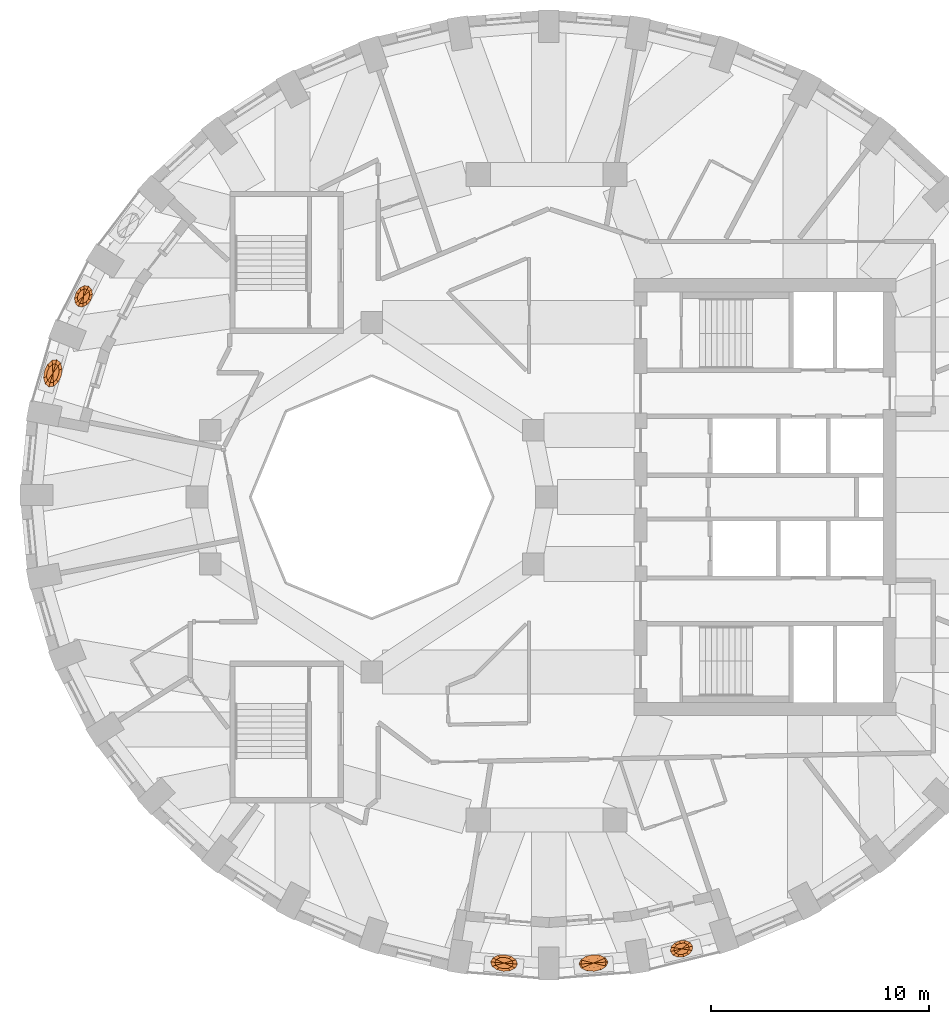
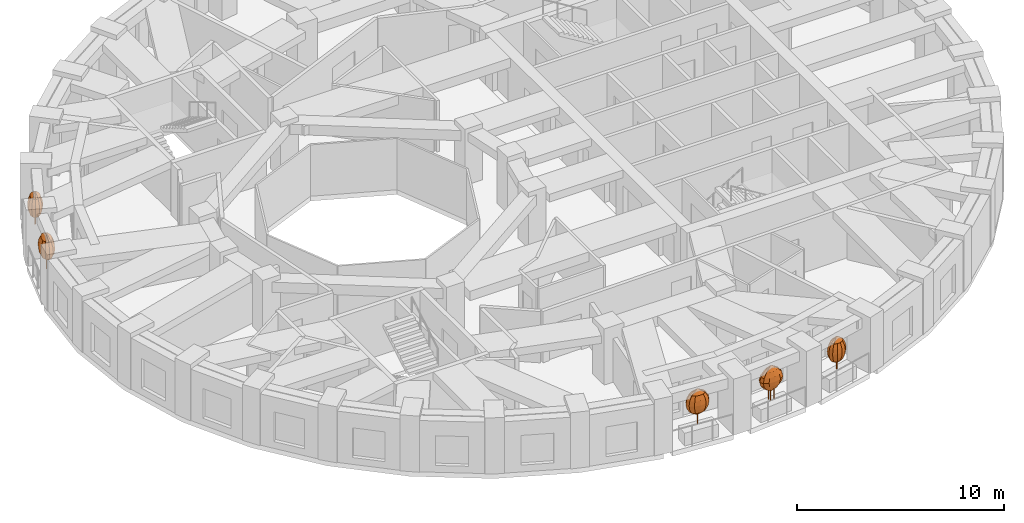
# One storey, part 10 of 11: 5 geographic elements.
"""IFC4 building model written with IfcOpenShell, lengths in metres."""

import ifcopenshell
import ifcopenshell.guid

model = None  # the IFC model being written
_history = None  # IfcOwnerHistory: only IFC2X3 demands one
_inside = {}  # id of a spatial element -> (the spatial element, [elements in it])
_under = {}  # id of a project, library or spatial element -> (it, [spatial elements below it])
_declared = {}  # id of a project -> (the project, [libraries it declares])
_typed = {}  # id of a type object -> (the type object, [elements of that type])
_made_of = {}  # id of a material, layer set ... -> (it, [elements and type objects made of it])


def new_model(schema):
    """Start an empty IFC model of exactly this schema.

    Asked for "IFC4X3", IfcOpenShell would pick the latest addendum, in which some entities
    have other attributes; the version numbers below select the first issue.
    IFC2X3 requires an IfcOwnerHistory on every rooted entity: one is made here for all.
    """
    global model, _history
    if schema == "IFC4X3":
        model = ifcopenshell.file(schema_version=(4, 3, 0, 0))
    else:
        model = ifcopenshell.file(schema=schema)
    _inside.clear()
    _under.clear()
    _declared.clear()
    _typed.clear()
    _made_of.clear()
    _history = None
    if model.schema == "IFC2X3":
        org = make("IfcOrganization", Name="unknown")
        user = make(
            "IfcPersonAndOrganization",
            ThePerson=make("IfcPerson", FamilyName="unknown"),
            TheOrganization=org,
        )
        app = make(
            "IfcApplication",
            ApplicationDeveloper=org,
            Version="unknown",
            ApplicationFullName="unknown",
            ApplicationIdentifier="unknown",
        )
        _history = make(
            "IfcOwnerHistory",
            OwningUser=user,
            OwningApplication=app,
            ChangeAction="ADDED",
            CreationDate=0,
        )
    return model


def make(cls, **values):
    """One entity of the class cls with the attributes given. An attribute that is None is left unset."""
    return model.create_entity(
        cls, **{name: value for name, value in values.items() if value is not None}
    )


def rooted(cls, **values):
    """An entity with a GlobalId (a new one), such as an element, a storey or a relation."""
    return make(cls, GlobalId=ifcopenshell.guid.new(), OwnerHistory=_history, **values)


def si_unit(unit_type, name, prefix=None):
    """IfcSIUnit, for example si_unit("LENGTHUNIT", "METRE", prefix="MILLI")."""
    return make("IfcSIUnit", UnitType=unit_type, Prefix=prefix, Name=name)


def assignment(units):
    """IfcUnitAssignment: the units of a project."""
    return None if units is None else make("IfcUnitAssignment", Units=units)


def point(xyz):
    """IfcCartesianPoint."""
    return None if xyz is None else make("IfcCartesianPoint", Coordinates=xyz)


def direction(xyz):
    """IfcDirection."""
    return None if xyz is None else make("IfcDirection", DirectionRatios=xyz)


def frame(location, z_axis=None, x_axis=None):
    """IfcAxis2Placement3D, a coordinate frame: its origin and axes. An axis left out is left unset."""
    return make(
        "IfcAxis2Placement3D",
        Location=point(location),
        Axis=direction(z_axis),
        RefDirection=direction(x_axis),
    )


def origin():
    """The frame at (0, 0, 0) with its axes left unset."""
    return frame((0.0, 0.0, 0.0))


def place(relative_to, where):
    """IfcLocalPlacement: puts the frame where relative to a parent placement (None: the world)."""
    return make(
        "IfcLocalPlacement", PlacementRelTo=relative_to, RelativePlacement=where
    )


def context(
    kind, dimensions, precision=None, world=None, true_north=None, identifier=None
):
    """IfcGeometricRepresentationContext, for example the 3D "Model" context."""
    return make(
        "IfcGeometricRepresentationContext",
        ContextIdentifier=identifier,
        ContextType=kind,
        CoordinateSpaceDimension=dimensions,
        Precision=precision,
        WorldCoordinateSystem=world,
        TrueNorth=true_north,
    )


def subcontext(parent, identifier, kind, view, scale=None):
    """IfcGeometricRepresentationSubContext, for example "Body" below "Model"."""
    return make(
        "IfcGeometricRepresentationSubContext",
        ContextIdentifier=identifier,
        ContextType=kind,
        ParentContext=parent,
        TargetScale=scale,
        TargetView=view,
    )


def project(units=None, contexts=None):
    """IfcProject with its units and contexts."""
    return rooted(
        "IfcProject",
        Name="project",
        RepresentationContexts=contexts,
        UnitsInContext=assignment(units),
    )


def spatial(cls, under=None, at=None, **own):
    """A site, building, storey or space (cls), placed at a placement, below another one or the project."""
    s = rooted(cls, ObjectPlacement=at, **own)
    if under is not None:
        _under.setdefault(under.id(), (under, []))[1].append(s)
    return s


def faces_of(points, faces, orient=None, outer=None):
    """IfcFace entities. A face is a list of loops; a loop is a list of indices into points, from 0.

    orient and outer hold one flag for each loop. By default every Orientation is true, the
    first loop of a face is its IfcFaceOuterBound and the others are IfcFaceBound.
    """
    made = []
    for i, loops in enumerate(faces):
        bounds = []
        for j, loop in enumerate(loops):
            is_outer = j == 0 if outer is None else outer[i][j]
            bounds.append(
                make(
                    "IfcFaceOuterBound" if is_outer else "IfcFaceBound",
                    Bound=make("IfcPolyLoop", Polygon=[points[k] for k in loop]),
                    Orientation=True if orient is None else orient[i][j],
                )
            )
        made.append(make("IfcFace", Bounds=bounds))
    return made


def faceted_brep(points, faces, orient=None, outer=None, voids=None):
    """IfcFacetedBrep: a solid bounded by flat faces; with voids (closed shells), ...WithVoids."""
    shared = [point(p) for p in points]
    hull = make("IfcClosedShell", CfsFaces=faces_of(shared, faces, orient, outer))
    if voids is None:
        return make("IfcFacetedBrep", Outer=hull)
    return make(
        "IfcFacetedBrepWithVoids",
        Outer=hull,
        Voids=[
            make(cls, CfsFaces=faces_of(shared, fs, o, b)) for cls, fs, o, b in voids
        ],
    )


def shape(context_of_items, identifier, shape_type, items):
    """IfcShapeRepresentation: the items that make up one representation, for example the "Body"."""
    return make(
        "IfcShapeRepresentation",
        ContextOfItems=context_of_items,
        RepresentationIdentifier=identifier,
        RepresentationType=shape_type,
        Items=items,
    )


def material(Name=None, Category=None):
    """IfcMaterial."""
    return make("IfcMaterial", Name=Name, Category=Category)


def constituent(of_material, Name=None, Category=None, fraction=None):
    """IfcMaterialConstituent: one of the materials an element consists of."""
    return make(
        "IfcMaterialConstituent",
        Name=Name,
        Material=of_material,
        Fraction=fraction,
        Category=Category,
    )


def constituent_set(constituents=None, Name=None):
    """IfcMaterialConstituentSet."""
    return make(
        "IfcMaterialConstituentSet", Name=Name, MaterialConstituents=constituents
    )


def made_of(thing, what):
    """Note that an element or type object is made of a material, layer set ...; save() writes the relation."""
    if what is not None:
        _made_of.setdefault(what.id(), (what, []))[1].append(thing)
    return thing


def type_object(cls, material=None, **own):
    """A type object (cls), such as IfcWallType, which elements share."""
    return made_of(rooted(cls, **own), material)


def element(
    cls,
    number,
    at=None,
    inside=None,
    cuts=None,
    type_object=None,
    material=None,
    context=None,
    identifier="Body",
    shape_type=None,
    held_by="IfcProductDefinitionShape",
    body=None,
    shapes=None,
    **own,
):
    """One element of the class cls, such as IfcWall. Its Tag is "e" and its number.

    at: its placement. inside: the storey or other place that contains it. cuts: it is an
    opening in that element (IfcRelVoidsElement). A single representation is given by context,
    identifier, shape_type and body (its items); several are given by shapes. held_by: the class
    of the entity that holds the representations. save() writes the other relations.
    """
    e = rooted(cls, Tag="e%d" % number, ObjectPlacement=at, **own)
    if body is not None:
        shapes = [shape(context, identifier, shape_type, body)]
    if shapes is not None:
        e.Representation = make(held_by, Representations=shapes)
    if inside is not None:
        _inside.setdefault(inside.id(), (inside, []))[1].append(e)
    if cuts is not None:
        rooted(
            "IfcRelVoidsElement", RelatingBuildingElement=cuts, RelatedOpeningElement=e
        )
    if type_object is not None:
        _typed.setdefault(type_object.id(), (type_object, []))[1].append(e)
    return made_of(e, material)


def aggregate(whole, parts):
    """IfcRelAggregates: a whole, such as a stair, and the parts it consists of."""
    return rooted("IfcRelAggregates", RelatingObject=whole, RelatedObjects=parts)


def save(model, path):
    """Write the relations noted so far, then the file.

    IfcRelAggregates (storeys below a building ...), IfcRelContainedInSpatialStructure (elements
    in a storey), IfcRelDefinesByType, IfcRelAssociatesMaterial and IfcRelDeclares: one each for
    every whole, place, type object, material and project.
    """
    for whole, parts in _under.values():
        aggregate(whole, parts)
    for where, things in _inside.values():
        rooted(
            "IfcRelContainedInSpatialStructure",
            RelatedElements=things,
            RelatingStructure=where,
        )
    for kind, things in _typed.values():
        rooted("IfcRelDefinesByType", RelatedObjects=things, RelatingType=kind)
    for what, things in _made_of.values():
        rooted("IfcRelAssociatesMaterial", RelatedObjects=things, RelatingMaterial=what)
    for by, libraries in _declared.values():
        rooted("IfcRelDeclares", RelatingContext=by, RelatedDefinitions=libraries)
    model.write(path)


model = new_model("IFC4")

# Units and contexts
model_context = context("Model", 3, precision=1e-05, world=origin(), true_north=direction((0.0, 1.0)))
body_context = subcontext(model_context, "Body", "Model", "MODEL_VIEW")
ifc_project = project(units=[si_unit("LENGTHUNIT", "METRE"), si_unit("AREAUNIT", "SQUARE_METRE"), si_unit("VOLUMEUNIT", "CUBIC_METRE"), si_unit("PLANEANGLEUNIT", "RADIAN"), si_unit("MASSUNIT", "GRAM", prefix="KILO")], contexts=[model_context])

# Site, building, storey
site_placement = place(None, origin())
site = spatial("IfcSite", under=ifc_project, at=site_placement, CompositionType="ELEMENT")
building_placement = place(site_placement, origin())
building = spatial("IfcBuilding", under=site, at=building_placement, Name="Taillehof Tower", CompositionType="ELEMENT")
storey_placement = place(building_placement, frame((0.0, 0.0, 161.60009765625)))
storey = spatial("IfcBuildingStorey", under=building, at=storey_placement, Name="L45", CompositionType="ELEMENT", Elevation=161.60009765625)

# Geographic elements
ifc_material_1 = material(Name="Tree bark", Category="timber")
ifc_constituent_1 = constituent(ifc_material_1, Name="Trunk", Category="timber")
ifc_material_2 = material(Name="Tree foliage")
ifc_constituent_2 = constituent(ifc_material_2, Name="Crown")
ifc_constituent_set_1 = constituent_set(constituents=[ifc_constituent_1, ifc_constituent_2], Name="Tree TR1 Columnar hornbeam")
geographic_element_type_1 = type_object("IfcGeographicElementType", Name="Tree TR1 Columnar hornbeam", PredefinedType="USERDEFINED", material=ifc_constituent_set_1)
geographic_element_1_placement = place(storey_placement, frame((-1.947265625, -21.32421875, 0.75)))
element("IfcGeographicElement", 1, at=geographic_element_1_placement, inside=storey, type_object=geographic_element_type_1, Name="Tree TR1 Columnar hornbeam", ObjectType="TREE", PredefinedType="USERDEFINED", context=body_context, shape_type="Brep", body=[
    faceted_brep([(0.030029296875, 0.0, 0.0), (0.021240234375, 0.021240234375, 0.0), (0.021240234375, 0.021240234375, 1.092529296875), (0.030029296875, 0.0, 1.092529296875), (0.0, 0.030029296875, 0.0), (0.0, 0.030029296875, 1.092529296875), (-0.021240234375, 0.021240234375, 0.0), (-0.021240234375, 0.021240234375, 1.092529296875), (-0.030029296875, 0.0, 0.0), (-0.030029296875, 0.0, 1.092529296875), (-0.021240234375, -0.021240234375, 0.0), (-0.021240234375, -0.021240234375, 1.092529296875), (0.0, -0.030029296875, 0.0), (0.0, -0.030029296875, 1.092529296875), (0.021240234375, -0.021240234375, 0.0), (0.021240234375, -0.021240234375, 1.092529296875)], [[[0, 1, 2, 3]], [[1, 4, 5, 2]], [[4, 6, 7, 5]], [[6, 8, 9, 7]], [[8, 10, 11, 9]], [[10, 12, 13, 11]], [[12, 14, 15, 13]], [[14, 0, 3, 15]], [[14, 12, 10, 8, 6, 4, 1, 0]], [[3, 2, 5, 7, 9, 11, 13, 15]]]),
    faceted_brep([(0.0, 0.0, 0.550048828125), (0.37451171875, 0.10009765625, 0.808349609375), (0.42041015625, -0.03369140625, 0.808349609375), (0.22802734375, 0.207275390625, 0.808349609375), (0.020751953125, 0.2587890625, 0.808349609375), (-0.1923828125, 0.240966796875, 0.808349609375), (-0.353759765625, 0.158447265625, 0.808349609375), (-0.42041015625, 0.03369140625, 0.808349609375), (-0.37451171875, -0.10009765625, 0.808349609375), (-0.22802734375, -0.207275390625, 0.808349609375), (-0.020751953125, -0.2587890625, 0.808349609375), (0.1923828125, -0.240966796875, 0.808349609375), (0.353759765625, -0.158447265625, 0.808349609375), (0.506591796875, 0.135498046875, 1.066650390625), (0.568603515625, -0.04541015625, 1.066650390625), (0.30859375, 0.2802734375, 1.066650390625), (0.028076171875, 0.35009765625, 1.066650390625), (-0.260009765625, 0.325927734375, 1.066650390625), (-0.478515625, 0.21435546875, 1.066650390625), (-0.568603515625, 0.04541015625, 1.066650390625), (-0.506591796875, -0.135498046875, 1.066650390625), (-0.30859375, -0.2802734375, 1.066650390625), (-0.028076171875, -0.35009765625, 1.066650390625), (0.260009765625, -0.325927734375, 1.066650390625), (0.478515625, -0.21435546875, 1.066650390625), (0.54833984375, 0.146728515625, 1.324951171875), (0.615478515625, -0.04931640625, 1.324951171875), (0.333984375, 0.303466796875, 1.324951171875), (0.0302734375, 0.37890625, 1.324951171875), (-0.281494140625, 0.352783203125, 1.324951171875), (-0.517822265625, 0.232177734375, 1.324951171875), (-0.615478515625, 0.04931640625, 1.324951171875), (-0.54833984375, -0.146728515625, 1.324951171875), (-0.333984375, -0.303466796875, 1.324951171875), (-0.0302734375, -0.37890625, 1.324951171875), (0.281494140625, -0.352783203125, 1.324951171875), (0.517822265625, -0.232177734375, 1.324951171875), (0.506591796875, 0.135498046875, 1.583251953125), (0.568603515625, -0.04541015625, 1.583251953125), (0.30859375, 0.2802734375, 1.583251953125), (0.028076171875, 0.35009765625, 1.583251953125), (-0.260009765625, 0.325927734375, 1.583251953125), (-0.478515625, 0.21435546875, 1.583251953125), (-0.568603515625, 0.04541015625, 1.583251953125), (-0.506591796875, -0.135498046875, 1.583251953125), (-0.30859375, -0.2802734375, 1.583251953125), (-0.028076171875, -0.35009765625, 1.583251953125), (0.260009765625, -0.325927734375, 1.583251953125), (0.478515625, -0.21435546875, 1.583251953125), (0.37451171875, 0.10009765625, 1.841552734375), (0.42041015625, -0.03369140625, 1.841552734375), (0.22802734375, 0.207275390625, 1.841552734375), (0.020751953125, 0.2587890625, 1.841552734375), (-0.1923828125, 0.240966796875, 1.841552734375), (-0.353759765625, 0.158447265625, 1.841552734375), (-0.42041015625, 0.03369140625, 1.841552734375), (-0.37451171875, -0.10009765625, 1.841552734375), (-0.22802734375, -0.207275390625, 1.841552734375), (-0.020751953125, -0.2587890625, 1.841552734375), (0.1923828125, -0.240966796875, 1.841552734375), (0.353759765625, -0.158447265625, 1.841552734375), (0.0, 0.0, 2.10009765625)], [[[0, 1, 2]], [[0, 3, 1]], [[0, 4, 3]], [[0, 5, 4]], [[0, 6, 5]], [[0, 7, 6]], [[0, 8, 7]], [[0, 9, 8]], [[0, 10, 9]], [[0, 11, 10]], [[0, 12, 11]], [[0, 2, 12]], [[2, 1, 13, 14]], [[1, 3, 15, 13]], [[3, 4, 16, 15]], [[4, 5, 17, 16]], [[5, 6, 18, 17]], [[6, 7, 19, 18]], [[7, 8, 20, 19]], [[8, 9, 21, 20]], [[9, 10, 22, 21]], [[10, 11, 23, 22]], [[11, 12, 24, 23]], [[12, 2, 14, 24]], [[14, 13, 25, 26]], [[13, 15, 27, 25]], [[15, 16, 28, 27]], [[16, 17, 29, 28]], [[17, 18, 30, 29]], [[18, 19, 31, 30]], [[19, 20, 32, 31]], [[20, 21, 33, 32]], [[21, 22, 34, 33]], [[22, 23, 35, 34]], [[23, 24, 36, 35]], [[24, 14, 26, 36]], [[26, 25, 37, 38]], [[25, 27, 39, 37]], [[27, 28, 40, 39]], [[28, 29, 41, 40]], [[29, 30, 42, 41]], [[30, 31, 43, 42]], [[31, 32, 44, 43]], [[32, 33, 45, 44]], [[33, 34, 46, 45]], [[34, 35, 47, 46]], [[35, 36, 48, 47]], [[36, 26, 38, 48]], [[38, 37, 49, 50]], [[37, 39, 51, 49]], [[39, 40, 52, 51]], [[40, 41, 53, 52]], [[41, 42, 54, 53]], [[42, 43, 55, 54]], [[43, 44, 56, 55]], [[44, 45, 57, 56]], [[45, 46, 58, 57]], [[46, 47, 59, 58]], [[47, 48, 60, 59]], [[48, 38, 50, 60]], [[50, 49, 61]], [[49, 51, 61]], [[51, 52, 61]], [[52, 53, 61]], [[53, 54, 61]], [[54, 55, 61]], [[55, 56, 61]], [[56, 57, 61]], [[57, 58, 61]], [[58, 59, 61]], [[59, 60, 61]], [[60, 50, 61]]]),
])
geographic_element_2_placement = place(storey_placement, frame((-22.59619140625, 5.668212890625, 0.75)))
element("IfcGeographicElement", 2, at=geographic_element_2_placement, inside=storey, type_object=geographic_element_type_1, Name="Tree TR1 Columnar hornbeam", ObjectType="TREE", PredefinedType="USERDEFINED", context=body_context, shape_type="Brep", body=[
    faceted_brep([(0.030029296875, 0.0, 0.0), (0.021240234375, 0.021240234375, 0.0), (0.021240234375, 0.021240234375, 1.092529296875), (0.030029296875, 0.0, 1.092529296875), (0.0, 0.030029296875, 0.0), (0.0, 0.030029296875, 1.092529296875), (-0.021240234375, 0.021240234375, 0.0), (-0.021240234375, 0.021240234375, 1.092529296875), (-0.030029296875, 0.0, 0.0), (-0.030029296875, 0.0, 1.092529296875), (-0.021240234375, -0.021240234375, 0.0), (-0.021240234375, -0.021240234375, 1.092529296875), (0.0, -0.030029296875, 0.0), (0.0, -0.030029296875, 1.092529296875), (0.021240234375, -0.021240234375, 0.0), (0.021240234375, -0.021240234375, 1.092529296875)], [[[0, 1, 2, 3]], [[1, 4, 5, 2]], [[4, 6, 7, 5]], [[6, 8, 9, 7]], [[8, 10, 11, 9]], [[10, 12, 13, 11]], [[12, 14, 15, 13]], [[14, 0, 3, 15]], [[14, 12, 10, 8, 6, 4, 1, 0]], [[3, 2, 5, 7, 9, 11, 13, 15]]]),
    faceted_brep([(0.0, 0.0, 0.550048828125), (0.02294921875, -0.407470703125, 0.808349609375), (-0.124755859375, -0.426025390625, 0.808349609375), (0.16455078125, -0.279541015625, 0.808349609375), (0.26220703125, -0.076904296875, 0.808349609375), (0.28955078125, 0.146484375, 0.808349609375), (0.2392578125, 0.33056640625, 0.808349609375), (0.124755859375, 0.426025390625, 0.808349609375), (-0.02294921875, 0.407470703125, 0.808349609375), (-0.16455078125, 0.279541015625, 0.808349609375), (-0.26220703125, 0.076904296875, 0.808349609375), (-0.28955078125, -0.146484375, 0.808349609375), (-0.2392578125, -0.33056640625, 0.808349609375), (0.03125, -0.551025390625, 1.066650390625), (-0.168701171875, -0.576416015625, 1.066650390625), (0.22265625, -0.378173828125, 1.066650390625), (0.354736328125, -0.10400390625, 1.066650390625), (0.3916015625, 0.1982421875, 1.066650390625), (0.323486328125, 0.447265625, 1.066650390625), (0.168701171875, 0.576416015625, 1.066650390625), (-0.03125, 0.551025390625, 1.066650390625), (-0.22265625, 0.378173828125, 1.066650390625), (-0.354736328125, 0.10400390625, 1.066650390625), (-0.3916015625, -0.1982421875, 1.066650390625), (-0.323486328125, -0.447265625, 1.066650390625), (0.03369140625, -0.596435546875, 1.324951171875), (-0.1826171875, -0.623779296875, 1.324951171875), (0.2412109375, -0.4091796875, 1.324951171875), (0.3837890625, -0.112548828125, 1.324951171875), (0.423828125, 0.214599609375, 1.324951171875), (0.35009765625, 0.48388671875, 1.324951171875), (0.1826171875, 0.623779296875, 1.324951171875), (-0.03369140625, 0.596435546875, 1.324951171875), (-0.2412109375, 0.4091796875, 1.324951171875), (-0.3837890625, 0.112548828125, 1.324951171875), (-0.423828125, -0.214599609375, 1.324951171875), (-0.35009765625, -0.48388671875, 1.324951171875), (0.03125, -0.551025390625, 1.583251953125), (-0.168701171875, -0.576416015625, 1.583251953125), (0.22265625, -0.378173828125, 1.583251953125), (0.354736328125, -0.10400390625, 1.583251953125), (0.3916015625, 0.1982421875, 1.583251953125), (0.323486328125, 0.447265625, 1.583251953125), (0.168701171875, 0.576416015625, 1.583251953125), (-0.03125, 0.551025390625, 1.583251953125), (-0.22265625, 0.378173828125, 1.583251953125), (-0.354736328125, 0.10400390625, 1.583251953125), (-0.3916015625, -0.1982421875, 1.583251953125), (-0.323486328125, -0.447265625, 1.583251953125), (0.02294921875, -0.407470703125, 1.841552734375), (-0.124755859375, -0.426025390625, 1.841552734375), (0.16455078125, -0.279541015625, 1.841552734375), (0.26220703125, -0.076904296875, 1.841552734375), (0.28955078125, 0.146484375, 1.841552734375), (0.2392578125, 0.33056640625, 1.841552734375), (0.124755859375, 0.426025390625, 1.841552734375), (-0.02294921875, 0.407470703125, 1.841552734375), (-0.16455078125, 0.279541015625, 1.841552734375), (-0.26220703125, 0.076904296875, 1.841552734375), (-0.28955078125, -0.146484375, 1.841552734375), (-0.2392578125, -0.33056640625, 1.841552734375), (0.0, 0.0, 2.10009765625)], [[[0, 1, 2]], [[0, 3, 1]], [[0, 4, 3]], [[0, 5, 4]], [[0, 6, 5]], [[0, 7, 6]], [[0, 8, 7]], [[0, 9, 8]], [[0, 10, 9]], [[0, 11, 10]], [[0, 12, 11]], [[0, 2, 12]], [[2, 1, 13, 14]], [[1, 3, 15, 13]], [[3, 4, 16, 15]], [[4, 5, 17, 16]], [[5, 6, 18, 17]], [[6, 7, 19, 18]], [[7, 8, 20, 19]], [[8, 9, 21, 20]], [[9, 10, 22, 21]], [[10, 11, 23, 22]], [[11, 12, 24, 23]], [[12, 2, 14, 24]], [[14, 13, 25, 26]], [[13, 15, 27, 25]], [[15, 16, 28, 27]], [[16, 17, 29, 28]], [[17, 18, 30, 29]], [[18, 19, 31, 30]], [[19, 20, 32, 31]], [[20, 21, 33, 32]], [[21, 22, 34, 33]], [[22, 23, 35, 34]], [[23, 24, 36, 35]], [[24, 14, 26, 36]], [[26, 25, 37, 38]], [[25, 27, 39, 37]], [[27, 28, 40, 39]], [[28, 29, 41, 40]], [[29, 30, 42, 41]], [[30, 31, 43, 42]], [[31, 32, 44, 43]], [[32, 33, 45, 44]], [[33, 34, 46, 45]], [[34, 35, 47, 46]], [[35, 36, 48, 47]], [[36, 26, 38, 48]], [[38, 37, 49, 50]], [[37, 39, 51, 49]], [[39, 40, 52, 51]], [[40, 41, 53, 52]], [[41, 42, 54, 53]], [[42, 43, 55, 54]], [[43, 44, 56, 55]], [[44, 45, 57, 56]], [[45, 46, 58, 57]], [[46, 47, 59, 58]], [[47, 48, 60, 59]], [[48, 38, 50, 60]], [[50, 49, 61]], [[49, 51, 61]], [[51, 52, 61]], [[52, 53, 61]], [[53, 54, 61]], [[54, 55, 61]], [[55, 56, 61]], [[56, 57, 61]], [[57, 58, 61]], [[58, 59, 61]], [[59, 60, 61]], [[60, 50, 61]]]),
])
ifc_material_3 = material(Name="Tree bark", Category="timber")
ifc_constituent_3 = constituent(ifc_material_3, Name="Trunk", Category="timber")
ifc_material_4 = material(Name="Tree foliage")
ifc_constituent_4 = constituent(ifc_material_4, Name="Crown")
ifc_constituent_set_2 = constituent_set(constituents=[ifc_constituent_3, ifc_constituent_4], Name="Tree TR2 Fastigiate yew")
geographic_element_type_2 = type_object("IfcGeographicElementType", Name="Tree TR2 Fastigiate yew", PredefinedType="USERDEFINED", material=ifc_constituent_set_2)
geographic_element_3_placement = place(storey_placement, frame((6.179443359375, -20.673583984375, 0.75)))
element("IfcGeographicElement", 3, at=geographic_element_3_placement, inside=storey, type_object=geographic_element_type_2, Name="Tree TR2 Fastigiate yew", ObjectType="TREE", PredefinedType="USERDEFINED", context=body_context, shape_type="Brep", body=[
    faceted_brep([(0.034912109375, 0.0, 0.0), (0.024658203125, 0.024658203125, 0.0), (0.024658203125, 0.024658203125, 0.909912109375), (0.034912109375, 0.0, 0.909912109375), (0.0, 0.034912109375, 0.0), (0.0, 0.034912109375, 0.909912109375), (-0.024658203125, 0.024658203125, 0.0), (-0.024658203125, 0.024658203125, 0.909912109375), (-0.034912109375, 0.0, 0.0), (-0.034912109375, 0.0, 0.909912109375), (-0.024658203125, -0.024658203125, 0.0), (-0.024658203125, -0.024658203125, 0.909912109375), (0.0, -0.034912109375, 0.0), (0.0, -0.034912109375, 0.909912109375), (0.024658203125, -0.024658203125, 0.0), (0.024658203125, -0.024658203125, 0.909912109375)], [[[0, 1, 2, 3]], [[1, 4, 5, 2]], [[4, 6, 7, 5]], [[6, 8, 9, 7]], [[8, 10, 11, 9]], [[10, 12, 13, 11]], [[12, 14, 15, 13]], [[14, 0, 3, 15]], [[14, 12, 10, 8, 6, 4, 1, 0]], [[3, 2, 5, 7, 9, 11, 13, 15]]]),
    faceted_brep([(0.0, 0.0, 0.35009765625), (0.269287109375, 0.19970703125, 0.61669921875), (0.3466796875, 0.0849609375, 0.61669921875), (0.119873046875, 0.2607421875, 0.61669921875), (-0.061767578125, 0.252197265625, 0.61669921875), (-0.226806640625, 0.17578125, 0.61669921875), (-0.3310546875, 0.052490234375, 0.61669921875), (-0.3466796875, -0.0849609375, 0.61669921875), (-0.269287109375, -0.19970703125, 0.61669921875), (-0.119873046875, -0.2607421875, 0.61669921875), (0.061767578125, -0.252197265625, 0.61669921875), (0.226806640625, -0.17578125, 0.61669921875), (0.3310546875, -0.052490234375, 0.61669921875), (0.3642578125, 0.27001953125, 0.88330078125), (0.468994140625, 0.114990234375, 0.88330078125), (0.162109375, 0.352783203125, 0.88330078125), (-0.08349609375, 0.341064453125, 0.88330078125), (-0.306884765625, 0.23779296875, 0.88330078125), (-0.44775390625, 0.071044921875, 0.88330078125), (-0.468994140625, -0.114990234375, 0.88330078125), (-0.3642578125, -0.27001953125, 0.88330078125), (-0.162109375, -0.352783203125, 0.88330078125), (0.08349609375, -0.341064453125, 0.88330078125), (0.306884765625, -0.23779296875, 0.88330078125), (0.44775390625, -0.071044921875, 0.88330078125), (0.394287109375, 0.292236328125, 1.14990234375), (0.507568359375, 0.12451171875, 1.14990234375), (0.17529296875, 0.3818359375, 1.14990234375), (-0.090576171875, 0.369140625, 1.14990234375), (-0.33203125, 0.25732421875, 1.14990234375), (-0.484619140625, 0.076904296875, 1.14990234375), (-0.507568359375, -0.12451171875, 1.14990234375), (-0.394287109375, -0.292236328125, 1.14990234375), (-0.17529296875, -0.3818359375, 1.14990234375), (0.090576171875, -0.369140625, 1.14990234375), (0.33203125, -0.25732421875, 1.14990234375), (0.484619140625, -0.076904296875, 1.14990234375), (0.3642578125, 0.27001953125, 1.416748046875), (0.468994140625, 0.114990234375, 1.416748046875), (0.162109375, 0.352783203125, 1.416748046875), (-0.08349609375, 0.341064453125, 1.416748046875), (-0.306884765625, 0.23779296875, 1.416748046875), (-0.44775390625, 0.071044921875, 1.416748046875), (-0.468994140625, -0.114990234375, 1.416748046875), (-0.3642578125, -0.27001953125, 1.416748046875), (-0.162109375, -0.352783203125, 1.416748046875), (0.08349609375, -0.341064453125, 1.416748046875), (0.306884765625, -0.23779296875, 1.416748046875), (0.44775390625, -0.071044921875, 1.416748046875), (0.269287109375, 0.19970703125, 1.683349609375), (0.3466796875, 0.0849609375, 1.683349609375), (0.119873046875, 0.2607421875, 1.683349609375), (-0.061767578125, 0.252197265625, 1.683349609375), (-0.226806640625, 0.17578125, 1.683349609375), (-0.3310546875, 0.052490234375, 1.683349609375), (-0.3466796875, -0.0849609375, 1.683349609375), (-0.269287109375, -0.19970703125, 1.683349609375), (-0.119873046875, -0.2607421875, 1.683349609375), (0.061767578125, -0.252197265625, 1.683349609375), (0.226806640625, -0.17578125, 1.683349609375), (0.3310546875, -0.052490234375, 1.683349609375), (0.0, 0.0, 1.949951171875)], [[[0, 1, 2]], [[0, 3, 1]], [[0, 4, 3]], [[0, 5, 4]], [[0, 6, 5]], [[0, 7, 6]], [[0, 8, 7]], [[0, 9, 8]], [[0, 10, 9]], [[0, 11, 10]], [[0, 12, 11]], [[0, 2, 12]], [[2, 1, 13, 14]], [[1, 3, 15, 13]], [[3, 4, 16, 15]], [[4, 5, 17, 16]], [[5, 6, 18, 17]], [[6, 7, 19, 18]], [[7, 8, 20, 19]], [[8, 9, 21, 20]], [[9, 10, 22, 21]], [[10, 11, 23, 22]], [[11, 12, 24, 23]], [[12, 2, 14, 24]], [[14, 13, 25, 26]], [[13, 15, 27, 25]], [[15, 16, 28, 27]], [[16, 17, 29, 28]], [[17, 18, 30, 29]], [[18, 19, 31, 30]], [[19, 20, 32, 31]], [[20, 21, 33, 32]], [[21, 22, 34, 33]], [[22, 23, 35, 34]], [[23, 24, 36, 35]], [[24, 14, 26, 36]], [[26, 25, 37, 38]], [[25, 27, 39, 37]], [[27, 28, 40, 39]], [[28, 29, 41, 40]], [[29, 30, 42, 41]], [[30, 31, 43, 42]], [[31, 32, 44, 43]], [[32, 33, 45, 44]], [[33, 34, 46, 45]], [[34, 35, 47, 46]], [[35, 36, 48, 47]], [[36, 26, 38, 48]], [[38, 37, 49, 50]], [[37, 39, 51, 49]], [[39, 40, 52, 51]], [[40, 41, 53, 52]], [[41, 42, 54, 53]], [[42, 43, 55, 54]], [[43, 44, 56, 55]], [[44, 45, 57, 56]], [[45, 46, 58, 57]], [[46, 47, 59, 58]], [[47, 48, 60, 59]], [[48, 38, 50, 60]], [[50, 49, 61]], [[49, 51, 61]], [[51, 52, 61]], [[52, 53, 61]], [[53, 54, 61]], [[54, 55, 61]], [[55, 56, 61]], [[56, 57, 61]], [[57, 58, 61]], [[58, 59, 61]], [[59, 60, 61]], [[60, 50, 61]]]),
])
geographic_element_4_placement = place(storey_placement, frame((-21.1943359375, 9.19189453125, 0.75)))
element("IfcGeographicElement", 4, at=geographic_element_4_placement, inside=storey, type_object=geographic_element_type_2, Name="Tree TR2 Fastigiate yew", ObjectType="TREE", PredefinedType="USERDEFINED", context=body_context, shape_type="Brep", body=[
    faceted_brep([(0.034912109375, 0.0, 0.0), (0.024658203125, 0.024658203125, 0.0), (0.024658203125, 0.024658203125, 0.909912109375), (0.034912109375, 0.0, 0.909912109375), (0.0, 0.034912109375, 0.0), (0.0, 0.034912109375, 0.909912109375), (-0.024658203125, 0.024658203125, 0.0), (-0.024658203125, 0.024658203125, 0.909912109375), (-0.034912109375, 0.0, 0.0), (-0.034912109375, 0.0, 0.909912109375), (-0.024658203125, -0.024658203125, 0.0), (-0.024658203125, -0.024658203125, 0.909912109375), (0.0, -0.034912109375, 0.0), (0.0, -0.034912109375, 0.909912109375), (0.024658203125, -0.024658203125, 0.0), (0.024658203125, -0.024658203125, 0.909912109375)], [[[0, 1, 2, 3]], [[1, 4, 5, 2]], [[4, 6, 7, 5]], [[6, 8, 9, 7]], [[8, 10, 11, 9]], [[10, 12, 13, 11]], [[12, 14, 15, 13]], [[14, 0, 3, 15]], [[14, 12, 10, 8, 6, 4, 1, 0]], [[3, 2, 5, 7, 9, 11, 13, 15]]]),
    faceted_brep([(0.0, 0.0, 0.35009765625), (-0.024658203125, -0.334228515625, 0.61669921875), (-0.162109375, -0.31787109375, 0.61669921875), (0.119140625, -0.260986328125, 0.61669921875), (0.231201171875, -0.117919921875, 0.61669921875), (0.28125, 0.056884765625, 0.61669921875), (0.255859375, 0.21630859375, 0.61669921875), (0.162109375, 0.31787109375, 0.61669921875), (0.024658203125, 0.334228515625, 0.61669921875), (-0.119140625, 0.260986328125, 0.61669921875), (-0.231201171875, 0.117919921875, 0.61669921875), (-0.28125, -0.056884765625, 0.61669921875), (-0.255859375, -0.21630859375, 0.61669921875), (-0.033447265625, -0.4521484375, 0.88330078125), (-0.21923828125, -0.43017578125, 0.88330078125), (0.161376953125, -0.35302734375, 0.88330078125), (0.312744140625, -0.159423828125, 0.88330078125), (0.380615234375, 0.076904296875, 0.88330078125), (0.34619140625, 0.292724609375, 0.88330078125), (0.21923828125, 0.43017578125, 0.88330078125), (0.033447265625, 0.4521484375, 0.88330078125), (-0.161376953125, 0.35302734375, 0.88330078125), (-0.312744140625, 0.159423828125, 0.88330078125), (-0.380615234375, -0.076904296875, 0.88330078125), (-0.34619140625, -0.292724609375, 0.88330078125), (-0.0361328125, -0.489501953125, 1.14990234375), (-0.2373046875, -0.465576171875, 1.14990234375), (0.174560546875, -0.38232421875, 1.14990234375), (0.338623046875, -0.172607421875, 1.14990234375), (0.411865234375, 0.083251953125, 1.14990234375), (0.374755859375, 0.31689453125, 1.14990234375), (0.2373046875, 0.465576171875, 1.14990234375), (0.0361328125, 0.489501953125, 1.14990234375), (-0.174560546875, 0.38232421875, 1.14990234375), (-0.338623046875, 0.172607421875, 1.14990234375), (-0.411865234375, -0.083251953125, 1.14990234375), (-0.374755859375, -0.31689453125, 1.14990234375), (-0.033447265625, -0.4521484375, 1.416748046875), (-0.21923828125, -0.43017578125, 1.416748046875), (0.161376953125, -0.35302734375, 1.416748046875), (0.312744140625, -0.159423828125, 1.416748046875), (0.380615234375, 0.076904296875, 1.416748046875), (0.34619140625, 0.292724609375, 1.416748046875), (0.21923828125, 0.43017578125, 1.416748046875), (0.033447265625, 0.4521484375, 1.416748046875), (-0.161376953125, 0.35302734375, 1.416748046875), (-0.312744140625, 0.159423828125, 1.416748046875), (-0.380615234375, -0.076904296875, 1.416748046875), (-0.34619140625, -0.292724609375, 1.416748046875), (-0.024658203125, -0.334228515625, 1.683349609375), (-0.162109375, -0.31787109375, 1.683349609375), (0.119140625, -0.260986328125, 1.683349609375), (0.231201171875, -0.117919921875, 1.683349609375), (0.28125, 0.056884765625, 1.683349609375), (0.255859375, 0.21630859375, 1.683349609375), (0.162109375, 0.31787109375, 1.683349609375), (0.024658203125, 0.334228515625, 1.683349609375), (-0.119140625, 0.260986328125, 1.683349609375), (-0.231201171875, 0.117919921875, 1.683349609375), (-0.28125, -0.056884765625, 1.683349609375), (-0.255859375, -0.21630859375, 1.683349609375), (0.0, 0.0, 1.949951171875)], [[[0, 1, 2]], [[0, 3, 1]], [[0, 4, 3]], [[0, 5, 4]], [[0, 6, 5]], [[0, 7, 6]], [[0, 8, 7]], [[0, 9, 8]], [[0, 10, 9]], [[0, 11, 10]], [[0, 12, 11]], [[0, 2, 12]], [[2, 1, 13, 14]], [[1, 3, 15, 13]], [[3, 4, 16, 15]], [[4, 5, 17, 16]], [[5, 6, 18, 17]], [[6, 7, 19, 18]], [[7, 8, 20, 19]], [[8, 9, 21, 20]], [[9, 10, 22, 21]], [[10, 11, 23, 22]], [[11, 12, 24, 23]], [[12, 2, 14, 24]], [[14, 13, 25, 26]], [[13, 15, 27, 25]], [[15, 16, 28, 27]], [[16, 17, 29, 28]], [[17, 18, 30, 29]], [[18, 19, 31, 30]], [[19, 20, 32, 31]], [[20, 21, 33, 32]], [[21, 22, 34, 33]], [[22, 23, 35, 34]], [[23, 24, 36, 35]], [[24, 14, 26, 36]], [[26, 25, 37, 38]], [[25, 27, 39, 37]], [[27, 28, 40, 39]], [[28, 29, 41, 40]], [[29, 30, 42, 41]], [[30, 31, 43, 42]], [[31, 32, 44, 43]], [[32, 33, 45, 44]], [[33, 34, 46, 45]], [[34, 35, 47, 46]], [[35, 36, 48, 47]], [[36, 26, 38, 48]], [[38, 37, 49, 50]], [[37, 39, 51, 49]], [[39, 40, 52, 51]], [[40, 41, 53, 52]], [[41, 42, 54, 53]], [[42, 43, 55, 54]], [[43, 44, 56, 55]], [[44, 45, 57, 56]], [[45, 46, 58, 57]], [[46, 47, 59, 58]], [[47, 48, 60, 59]], [[48, 38, 50, 60]], [[50, 49, 61]], [[49, 51, 61]], [[51, 52, 61]], [[52, 53, 61]], [[53, 54, 61]], [[54, 55, 61]], [[55, 56, 61]], [[56, 57, 61]], [[57, 58, 61]], [[58, 59, 61]], [[59, 60, 61]], [[60, 50, 61]]]),
])
ifc_material_5 = material(Name="Tree bark", Category="timber")
ifc_constituent_5 = constituent(ifc_material_5, Name="Trunk", Category="timber")
ifc_material_6 = material(Name="Tree foliage")
ifc_constituent_6 = constituent(ifc_material_6, Name="Crown")
ifc_constituent_set_3 = constituent_set(constituents=[ifc_constituent_5, ifc_constituent_6], Name="Tree TR3 Multi-stem serviceberry")
geographic_element_type_3 = type_object("IfcGeographicElementType", Name="Tree TR3 Multi-stem serviceberry", PredefinedType="USERDEFINED", material=ifc_constituent_set_3)
geographic_element_5_placement = place(storey_placement, frame((2.147216796875, -21.32421875, 0.75)))
element("IfcGeographicElement", 5, at=geographic_element_5_placement, inside=storey, type_object=geographic_element_type_3, Name="Tree TR3 Multi-stem serviceberry", ObjectType="TREE", PredefinedType="USERDEFINED", context=body_context, shape_type="Brep", body=[
    faceted_brep([(0.195068359375, 0.0, 0.0), (0.186767578125, 0.0205078125, 0.0), (0.186767578125, 0.0205078125, 1.04248046875), (0.195068359375, 0.0, 1.04248046875), (0.166259765625, 0.02880859375, 0.0), (0.166259765625, 0.02880859375, 1.04248046875), (0.145751953125, 0.0205078125, 0.0), (0.145751953125, 0.0205078125, 1.04248046875), (0.137451171875, 0.0, 0.0), (0.137451171875, 0.0, 1.04248046875), (0.145751953125, -0.0205078125, 0.0), (0.145751953125, -0.0205078125, 1.04248046875), (0.166259765625, -0.02880859375, 0.0), (0.166259765625, -0.02880859375, 1.04248046875), (0.186767578125, -0.0205078125, 0.0), (0.186767578125, -0.0205078125, 1.04248046875)], [[[0, 1, 2, 3]], [[1, 4, 5, 2]], [[4, 6, 7, 5]], [[6, 8, 9, 7]], [[8, 10, 11, 9]], [[10, 12, 13, 11]], [[12, 14, 15, 13]], [[14, 0, 3, 15]], [[14, 12, 10, 8, 6, 4, 1, 0]], [[3, 2, 5, 7, 9, 11, 13, 15]]]),
    faceted_brep([(-0.05419921875, 0.082275390625, 0.0), (-0.062744140625, 0.102783203125, 0.0), (-0.062744140625, 0.102783203125, 1.04248046875), (-0.05419921875, 0.082275390625, 1.04248046875), (-0.0830078125, 0.111083984375, 0.0), (-0.0830078125, 0.111083984375, 1.04248046875), (-0.103515625, 0.102783203125, 0.0), (-0.103515625, 0.102783203125, 1.04248046875), (-0.112060546875, 0.082275390625, 0.0), (-0.112060546875, 0.082275390625, 1.04248046875), (-0.103515625, 0.061767578125, 0.0), (-0.103515625, 0.061767578125, 1.04248046875), (-0.0830078125, 0.053466796875, 0.0), (-0.0830078125, 0.053466796875, 1.04248046875), (-0.062744140625, 0.061767578125, 0.0), (-0.062744140625, 0.061767578125, 1.04248046875)], [[[0, 1, 2, 3]], [[1, 4, 5, 2]], [[4, 6, 7, 5]], [[6, 8, 9, 7]], [[8, 10, 11, 9]], [[10, 12, 13, 11]], [[12, 14, 15, 13]], [[14, 0, 3, 15]], [[14, 12, 10, 8, 6, 4, 1, 0]], [[3, 2, 5, 7, 9, 11, 13, 15]]]),
    faceted_brep([(-0.05419921875, -0.082275390625, 0.0), (-0.062744140625, -0.061767578125, 0.0), (-0.062744140625, -0.061767578125, 1.04248046875), (-0.05419921875, -0.082275390625, 1.04248046875), (-0.0830078125, -0.053466796875, 0.0), (-0.0830078125, -0.053466796875, 1.04248046875), (-0.103515625, -0.061767578125, 0.0), (-0.103515625, -0.061767578125, 1.04248046875), (-0.112060546875, -0.082275390625, 0.0), (-0.112060546875, -0.082275390625, 1.04248046875), (-0.103515625, -0.102783203125, 0.0), (-0.103515625, -0.102783203125, 1.04248046875), (-0.0830078125, -0.111083984375, 0.0), (-0.0830078125, -0.111083984375, 1.04248046875), (-0.062744140625, -0.102783203125, 0.0), (-0.062744140625, -0.102783203125, 1.04248046875)], [[[0, 1, 2, 3]], [[1, 4, 5, 2]], [[4, 6, 7, 5]], [[6, 8, 9, 7]], [[8, 10, 11, 9]], [[10, 12, 13, 11]], [[12, 14, 15, 13]], [[14, 0, 3, 15]], [[14, 12, 10, 8, 6, 4, 1, 0]], [[3, 2, 5, 7, 9, 11, 13, 15]]]),
    faceted_brep([(0.0, 0.0, 0.5), (0.321044921875, 0.13525390625, 0.75830078125), (0.380615234375, 0.030517578125, 0.75830078125), (0.17529296875, 0.20361328125, 0.75830078125), (-0.017333984375, 0.217529296875, 0.75830078125), (-0.205322265625, 0.173095703125, 0.75830078125), (-0.33837890625, 0.082275390625, 0.75830078125), (-0.380615234375, -0.030517578125, 0.75830078125), (-0.321044921875, -0.13525390625, 0.75830078125), (-0.17529296875, -0.20361328125, 0.75830078125), (0.017333984375, -0.217529296875, 0.75830078125), (0.205322265625, -0.173095703125, 0.75830078125), (0.33837890625, -0.082275390625, 0.75830078125), (0.498046875, 0.209716796875, 1.0166015625), (0.5908203125, 0.04736328125, 1.0166015625), (0.27197265625, 0.31591796875, 1.0166015625), (-0.027099609375, 0.337646484375, 1.0166015625), (-0.31884765625, 0.268798828125, 1.0166015625), (-0.525146484375, 0.1279296875, 1.0166015625), (-0.5908203125, -0.04736328125, 1.0166015625), (-0.498046875, -0.209716796875, 1.0166015625), (-0.27197265625, -0.31591796875, 1.0166015625), (0.027099609375, -0.337646484375, 1.0166015625), (0.31884765625, -0.268798828125, 1.0166015625), (0.525146484375, -0.1279296875, 1.0166015625), (0.558837890625, 0.2353515625, 1.27490234375), (0.662841796875, 0.052978515625, 1.27490234375), (0.30517578125, 0.3544921875, 1.27490234375), (-0.0302734375, 0.37890625, 1.27490234375), (-0.357666015625, 0.301513671875, 1.27490234375), (-0.589111328125, 0.1435546875, 1.27490234375), (-0.662841796875, -0.052978515625, 1.27490234375), (-0.558837890625, -0.2353515625, 1.27490234375), (-0.30517578125, -0.3544921875, 1.27490234375), (0.0302734375, -0.37890625, 1.27490234375), (0.357666015625, -0.301513671875, 1.27490234375), (0.589111328125, -0.1435546875, 1.27490234375), (0.498046875, 0.209716796875, 1.533447265625), (0.5908203125, 0.04736328125, 1.533447265625), (0.27197265625, 0.31591796875, 1.533447265625), (-0.027099609375, 0.337646484375, 1.533447265625), (-0.31884765625, 0.268798828125, 1.533447265625), (-0.525146484375, 0.1279296875, 1.533447265625), (-0.5908203125, -0.04736328125, 1.533447265625), (-0.498046875, -0.209716796875, 1.533447265625), (-0.27197265625, -0.31591796875, 1.533447265625), (0.027099609375, -0.337646484375, 1.533447265625), (0.31884765625, -0.268798828125, 1.533447265625), (0.525146484375, -0.1279296875, 1.533447265625), (0.321044921875, 0.13525390625, 1.791748046875), (0.380615234375, 0.030517578125, 1.791748046875), (0.17529296875, 0.20361328125, 1.791748046875), (-0.017333984375, 0.217529296875, 1.791748046875), (-0.205322265625, 0.173095703125, 1.791748046875), (-0.33837890625, 0.082275390625, 1.791748046875), (-0.380615234375, -0.030517578125, 1.791748046875), (-0.321044921875, -0.13525390625, 1.791748046875), (-0.17529296875, -0.20361328125, 1.791748046875), (0.017333984375, -0.217529296875, 1.791748046875), (0.205322265625, -0.173095703125, 1.791748046875), (0.33837890625, -0.082275390625, 1.791748046875), (0.0, 0.0, 2.050048828125)], [[[0, 1, 2]], [[0, 3, 1]], [[0, 4, 3]], [[0, 5, 4]], [[0, 6, 5]], [[0, 7, 6]], [[0, 8, 7]], [[0, 9, 8]], [[0, 10, 9]], [[0, 11, 10]], [[0, 12, 11]], [[0, 2, 12]], [[2, 1, 13, 14]], [[1, 3, 15, 13]], [[3, 4, 16, 15]], [[4, 5, 17, 16]], [[5, 6, 18, 17]], [[6, 7, 19, 18]], [[7, 8, 20, 19]], [[8, 9, 21, 20]], [[9, 10, 22, 21]], [[10, 11, 23, 22]], [[11, 12, 24, 23]], [[12, 2, 14, 24]], [[14, 13, 25, 26]], [[13, 15, 27, 25]], [[15, 16, 28, 27]], [[16, 17, 29, 28]], [[17, 18, 30, 29]], [[18, 19, 31, 30]], [[19, 20, 32, 31]], [[20, 21, 33, 32]], [[21, 22, 34, 33]], [[22, 23, 35, 34]], [[23, 24, 36, 35]], [[24, 14, 26, 36]], [[26, 25, 37, 38]], [[25, 27, 39, 37]], [[27, 28, 40, 39]], [[28, 29, 41, 40]], [[29, 30, 42, 41]], [[30, 31, 43, 42]], [[31, 32, 44, 43]], [[32, 33, 45, 44]], [[33, 34, 46, 45]], [[34, 35, 47, 46]], [[35, 36, 48, 47]], [[36, 26, 38, 48]], [[38, 37, 49, 50]], [[37, 39, 51, 49]], [[39, 40, 52, 51]], [[40, 41, 53, 52]], [[41, 42, 54, 53]], [[42, 43, 55, 54]], [[43, 44, 56, 55]], [[44, 45, 57, 56]], [[45, 46, 58, 57]], [[46, 47, 59, 58]], [[47, 48, 60, 59]], [[48, 38, 50, 60]], [[50, 49, 61]], [[49, 51, 61]], [[51, 52, 61]], [[52, 53, 61]], [[53, 54, 61]], [[54, 55, 61]], [[55, 56, 61]], [[56, 57, 61]], [[57, 58, 61]], [[58, 59, 61]], [[59, 60, 61]], [[60, 50, 61]]]),
])

save(model, "model.ifc")
